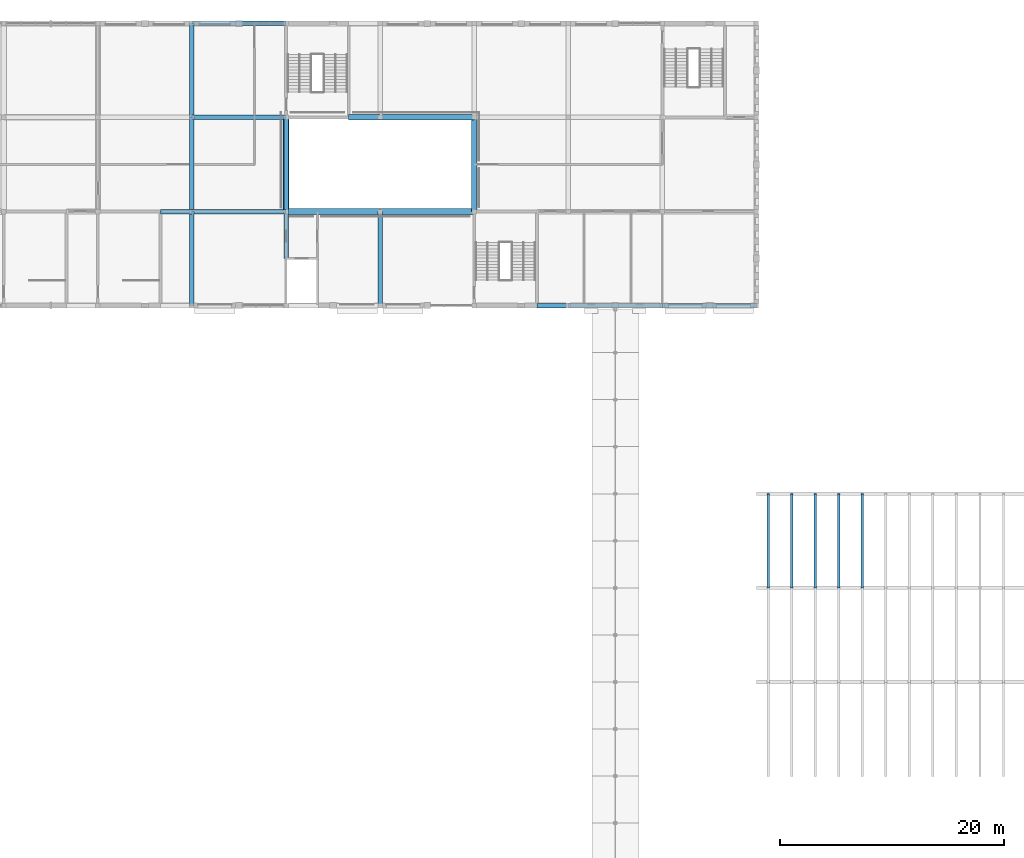
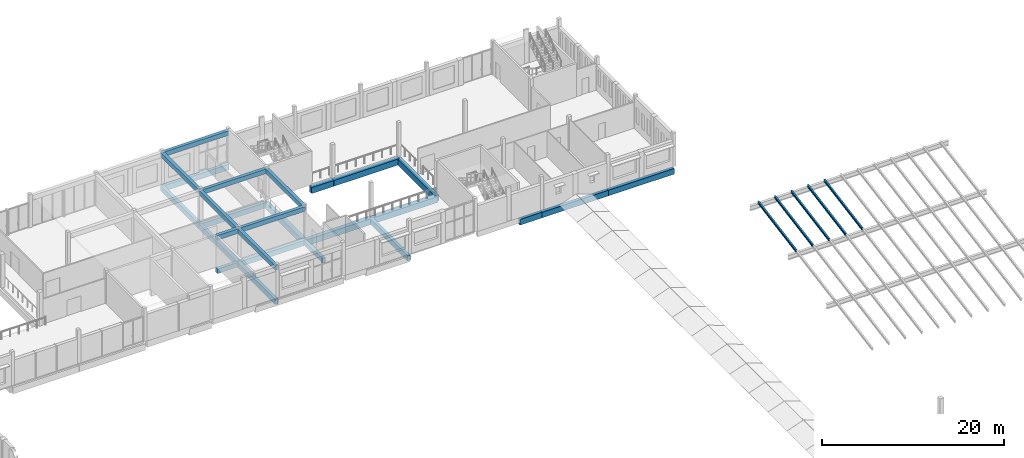
# One storey, part 15 of 38: 26 beams, 5 members.
"""IFC4 building model written with IfcOpenShell, lengths in metres."""

from ifc_helpers import new_model, si_unit, direction, frame, origin, origin_2d, place, context, subcontext, project, spatial, rectangle, i_section, extrude, material, material_profile, profile_set, type_object, element, save


model = new_model("IFC4")

# Units and contexts
model_context = context("Model", 3, precision=1e-05, world=origin(), true_north=direction((0.0, 1.0)))
body_context = subcontext(model_context, "Body", "Model", "MODEL_VIEW")
ifc_project = project(units=[si_unit("LENGTHUNIT", "METRE"), si_unit("AREAUNIT", "SQUARE_METRE"), si_unit("VOLUMEUNIT", "CUBIC_METRE"), si_unit("PLANEANGLEUNIT", "RADIAN"), si_unit("MASSUNIT", "GRAM", prefix="KILO")], contexts=[model_context])

# Site, building, storey
site_placement = place(None, origin())
site = spatial("IfcSite", under=ifc_project, at=site_placement, CompositionType="ELEMENT")
building_placement = place(site_placement, origin())
building = spatial("IfcBuilding", under=site, at=building_placement, Name="Fescue Hill Polytechnic", CompositionType="ELEMENT")
storey_placement = place(building_placement, frame((0.0, 0.0, 18.0)))
storey = spatial("IfcBuildingStorey", under=building, at=storey_placement, Name="L04", CompositionType="ELEMENT", Elevation=18.0)

# Beams
ifc_material_1 = material(Name="Concrete 35 MPa", Category="concrete")
ifc_material_profile_1 = material_profile(ifc_material_1, rectangle(XDim=0.39990234375, YDim=0.60009765625, at=origin_2d()), Name="RC 400x600")
ifc_profile_set_1 = profile_set([ifc_material_profile_1], Name="Concrete 35 MPa")
beam_type_1 = type_object("IfcBeamType", Name="Beam RC 400x600", PredefinedType="BEAM", material=ifc_profile_set_1)
beam_1_placement = place(storey_placement, frame((64.39990234375, 117.60009765625, -0.60009765625), z_axis=(1.0, 0.0, 0.0), x_axis=(0.0, 1.0, 0.0)))
element("IfcBeam", 1, at=beam_1_placement, inside=storey, type_object=beam_type_1, Name="BM-L04-0084", PredefinedType="BEAM", context=body_context, shape_type="SweptSolid", body=[
    extrude(rectangle(XDim=0.39990234375, YDim=0.60009765625, at=origin_2d()), origin(), (0.0, 0.0, 1.0), 2.7900390625),
])
beam_2_placement = place(storey_placement, frame((75.60009765625, 113.39990234375, -0.60009765625), z_axis=(0.0, 1.0, 0.0), x_axis=(-1.0, 0.0, 0.0)))
element("IfcBeam", 2, at=beam_2_placement, inside=storey, type_object=beam_type_1, Name="BM-L04-0092", PredefinedType="BEAM", context=body_context, shape_type="SweptSolid", body=[
    extrude(rectangle(XDim=0.39990234375, YDim=0.60009765625, at=origin_2d()), origin(), (0.0, 0.0, 1.0), 4.2001953125),
])
beam_3_placement = place(storey_placement, frame((64.39990234375, 117.60009765625, 3.89990234375), z_axis=(1.0, 0.0, 0.0), x_axis=(0.0, 1.0, 0.0)))
element("IfcBeam", 3, at=beam_3_placement, inside=storey, type_object=beam_type_1, Name="BR-L04-0010", PredefinedType="BEAM", context=body_context, shape_type="SweptSolid", body=[
    extrude(rectangle(XDim=0.39990234375, YDim=0.60009765625, at=origin_2d()), origin(), (0.0, 0.0, 1.0), 2.7900390625),
])
beam_4_placement = place(storey_placement, frame((67.199951171875, 109.199951171875, 3.89990234375), z_axis=(0.0, 1.0, 0.0), x_axis=(-1.0, 0.0, 0.0)))
element("IfcBeam", 4, at=beam_4_placement, inside=storey, type_object=beam_type_1, Name="BR-L04-0011", PredefinedType="BEAM", context=body_context, shape_type="SweptSolid", body=[
    extrude(rectangle(XDim=0.39990234375, YDim=0.60009765625, at=origin_2d()), origin(), (0.0, 0.0, 1.0), 8.400146484375),
])
for number, where, z_axis, x_axis, name in (
    (5, (67.199951171875, 117.60009765625, 3.89990234375), (0.0, 1.0, 0.0), (-1.0, 0.0, 0.0), "BR-L04-0012"),
    (6, (67.199951171875, 126.0, 3.89990234375), (0.0, 1.0, 0.0), (-1.0, 0.0, 0.0), "BR-L04-0013"),
):
    element("IfcBeam", number, at=place(storey_placement, frame(where, z_axis=z_axis, x_axis=x_axis)), inside=storey, type_object=beam_type_1, Name=name, PredefinedType="BEAM", context=body_context, shape_type="SweptSolid", body=[
        extrude(rectangle(XDim=0.39990234375, YDim=0.60009765625, at=origin_2d()), origin(), (0.0, 0.0, 1.0), 8.39990234375),
    ])
for number, where, z_axis, x_axis, name in (
    (7, (67.2099609375, 117.60009765625, 3.89990234375), (1.0, 0.0, 0.0), (0.0, 1.0, 0.0), "BR-L04-0015"),
    (8, (67.2099609375, 126.0, 3.89990234375), (1.0, 0.0, 0.0), (0.0, 1.0, 0.0), "BR-L04-0016"),
    (9, (67.2099609375, 134.39990234375, 3.89990234375), (1.0, 0.0, 0.0), (0.0, 1.0, 0.0), "BR-L04-0017"),
):
    element("IfcBeam", number, at=place(storey_placement, frame(where, z_axis=z_axis, x_axis=x_axis)), inside=storey, type_object=beam_type_1, Name=name, PredefinedType="BEAM", context=body_context, shape_type="SweptSolid", body=[
        extrude(rectangle(XDim=0.39990234375, YDim=0.60009765625, at=origin_2d()), origin(), (0.0, 0.0, 1.0), 8.380126953125),
    ])
beam_5_placement = place(storey_placement, frame((75.60009765625, 117.60009765625, 3.89990234375), z_axis=(0.0, 1.0, 0.0), x_axis=(-1.0, 0.0, 0.0)))
element("IfcBeam", 10, at=beam_5_placement, inside=storey, type_object=beam_type_1, Name="BR-L04-0018", PredefinedType="BEAM", context=body_context, shape_type="SweptSolid", body=[
    extrude(rectangle(XDim=0.39990234375, YDim=0.60009765625, at=origin_2d()), origin(), (0.0, 0.0, 1.0), 8.39990234375),
])
ifc_material_profile_2 = material_profile(ifc_material_1, rectangle(XDim=0.39990234375, YDim=0.699951171875, at=origin_2d()), Name="RC 400x700")
ifc_profile_set_2 = profile_set([ifc_material_profile_2], Name="Concrete 35 MPa")
beam_type_2 = type_object("IfcBeamType", Name="Beam RC 400x700", PredefinedType="BEAM", material=ifc_profile_set_2)
beam_6_placement = place(storey_placement, frame((67.199951171875, 109.199951171875, -0.64990234375), z_axis=(0.0, 1.0, 0.0), x_axis=(-1.0, 0.0, 0.0)))
element("IfcBeam", 11, at=beam_6_placement, inside=storey, type_object=beam_type_2, Name="BM-L04-0085", PredefinedType="BEAM", context=body_context, shape_type="SweptSolid", body=[
    extrude(rectangle(XDim=0.39990234375, YDim=0.699951171875, at=origin_2d()), origin(), (0.0, 0.0, 1.0), 8.400146484375),
])
for number, where, z_axis, x_axis, name in (
    (12, (67.199951171875, 117.60009765625, -0.64990234375), (0.0, 1.0, 0.0), (-1.0, 0.0, 0.0), "BM-L04-0086"),
    (13, (67.199951171875, 126.0, -0.64990234375), (0.0, 1.0, 0.0), (-1.0, 0.0, 0.0), "BM-L04-0087"),
):
    element("IfcBeam", number, at=place(storey_placement, frame(where, z_axis=z_axis, x_axis=x_axis)), inside=storey, type_object=beam_type_2, Name=name, PredefinedType="BEAM", context=body_context, shape_type="SweptSolid", body=[
        extrude(rectangle(XDim=0.39990234375, YDim=0.699951171875, at=origin_2d()), origin(), (0.0, 0.0, 1.0), 8.39990234375),
    ])
for number, where, z_axis, x_axis, name in (
    (14, (67.2099609375, 117.60009765625, -0.64990234375), (1.0, 0.0, 0.0), (0.0, 1.0, 0.0), "BM-L04-0089"),
    (15, (67.2099609375, 126.0, -0.64990234375), (1.0, 0.0, 0.0), (0.0, 1.0, 0.0), "BM-L04-0090"),
):
    element("IfcBeam", number, at=place(storey_placement, frame(where, z_axis=z_axis, x_axis=x_axis)), inside=storey, type_object=beam_type_2, Name=name, PredefinedType="BEAM", context=body_context, shape_type="SweptSolid", body=[
        extrude(rectangle(XDim=0.39990234375, YDim=0.699951171875, at=origin_2d()), origin(), (0.0, 0.0, 1.0), 8.380126953125),
    ])
beam_7_placement = place(storey_placement, frame((84.0, 109.199951171875, -0.64990234375), z_axis=(0.0, 1.0, 0.0), x_axis=(-1.0, 0.0, 0.0)))
element("IfcBeam", 16, at=beam_7_placement, inside=storey, type_object=beam_type_2, Name="BM-L04-0098", PredefinedType="BEAM", context=body_context, shape_type="SweptSolid", body=[
    extrude(rectangle(XDim=0.39990234375, YDim=0.699951171875, at=origin_2d()), origin(), (0.0, 0.0, 1.0), 8.400146484375),
])
ifc_material_profile_3 = material_profile(ifc_material_1, rectangle(XDim=0.39990234375, YDim=0.75, at=origin_2d()), Name="RC 400x750")
ifc_profile_set_3 = profile_set([ifc_material_profile_3], Name="Concrete 35 MPa")
beam_type_3 = type_object("IfcBeamType", Name="Beam RC 400x750", PredefinedType="BEAM", material=ifc_profile_set_3)
beam_8_placement = place(storey_placement, frame((67.2099609375, 134.39990234375, -0.675048828125), z_axis=(1.0, 0.0, 0.0), x_axis=(0.0, 1.0, 0.0)))
element("IfcBeam", 17, at=beam_8_placement, inside=storey, type_object=beam_type_3, Name="BM-L04-0091", PredefinedType="BEAM", context=body_context, shape_type="SweptSolid", body=[
    extrude(rectangle(XDim=0.39990234375, YDim=0.75, at=origin_2d()), origin(), (0.0, 0.0, 1.0), 8.39013671875),
])
beam_9_placement = place(storey_placement, frame((98.0, 109.199951171875, -0.675048828125), z_axis=(1.0, 0.0, 0.0), x_axis=(0.0, 1.0, 0.0)))
element("IfcBeam", 18, at=beam_9_placement, inside=storey, type_object=beam_type_3, Name="BM-L04-0107", PredefinedType="BEAM", context=body_context, shape_type="SweptSolid", body=[
    extrude(rectangle(XDim=0.39990234375, YDim=0.75, at=origin_2d()), origin(), (0.0, 0.0, 1.0), 2.800048828125),
])
beam_10_placement = place(storey_placement, frame((100.800048828125, 109.199951171875, -0.675048828125), z_axis=(1.0, 0.0, 0.0), x_axis=(0.0, 1.0, 0.0)))
element("IfcBeam", 19, at=beam_10_placement, inside=storey, type_object=beam_type_3, Name="BM-L04-0109", PredefinedType="BEAM", context=body_context, shape_type="SweptSolid", body=[
    extrude(rectangle(XDim=0.39990234375, YDim=0.75, at=origin_2d()), origin(), (0.0, 0.0, 1.0), 8.39990234375),
])
beam_11_placement = place(storey_placement, frame((109.199951171875, 109.199951171875, -0.675048828125), z_axis=(1.0, 0.0, 0.0), x_axis=(0.0, 1.0, 0.0)))
element("IfcBeam", 20, at=beam_11_placement, inside=storey, type_object=beam_type_3, Name="BM-L04-0115", PredefinedType="BEAM", context=body_context, shape_type="SweptSolid", body=[
    extrude(rectangle(XDim=0.39990234375, YDim=0.75, at=origin_2d()), origin(), (0.0, 0.0, 1.0), 8.400146484375),
])
ifc_material_profile_4 = material_profile(ifc_material_1, rectangle(XDim=0.5, YDim=0.800048828125, at=origin_2d()), Name="RC 500x800")
ifc_profile_set_4 = profile_set([ifc_material_profile_4], Name="Concrete 35 MPa")
beam_type_4 = type_object("IfcBeamType", Name="Beam RC 500x800", PredefinedType="BEAM", material=ifc_profile_set_4)
beam_12_placement = place(storey_placement, frame((75.60009765625, 117.60009765625, -0.699951171875), z_axis=(0.0, 1.0, 0.0), x_axis=(-1.0, 0.0, 0.0)))
element("IfcBeam", 21, at=beam_12_placement, inside=storey, type_object=beam_type_4, Name="BM-L04-0093", PredefinedType="BEAM", context=body_context, shape_type="SweptSolid", body=[
    extrude(rectangle(XDim=0.5, YDim=0.800048828125, at=origin_2d()), origin(), (0.0, 0.0, 1.0), 8.39990234375),
])
beam_13_placement = place(storey_placement, frame((75.610107421875, 117.60009765625, -0.699951171875), z_axis=(1.0, 0.0, 0.0), x_axis=(0.0, 1.0, 0.0)))
element("IfcBeam", 22, at=beam_13_placement, inside=storey, type_object=beam_type_4, Name="BM-L04-0094", PredefinedType="BEAM", context=body_context, shape_type="SweptSolid", body=[
    extrude(rectangle(XDim=0.5, YDim=0.800048828125, at=origin_2d()), origin(), (0.0, 0.0, 1.0), 8.3798828125),
])
beam_14_placement = place(storey_placement, frame((81.199951171875, 126.0, -0.699951171875), z_axis=(1.0, 0.0, 0.0), x_axis=(0.0, 1.0, 0.0)))
element("IfcBeam", 23, at=beam_14_placement, inside=storey, type_object=beam_type_4, Name="BM-L04-0096", PredefinedType="BEAM", context=body_context, shape_type="SweptSolid", body=[
    extrude(rectangle(XDim=0.5, YDim=0.800048828125, at=origin_2d()), origin(), (0.0, 0.0, 1.0), 2.7900390625),
])
beam_15_placement = place(storey_placement, frame((84.010009765625, 117.60009765625, -0.699951171875), z_axis=(1.0, 0.0, 0.0), x_axis=(0.0, 1.0, 0.0)))
element("IfcBeam", 24, at=beam_15_placement, inside=storey, type_object=beam_type_4, Name="BM-L04-0100", PredefinedType="BEAM", context=body_context, shape_type="SweptSolid", body=[
    extrude(rectangle(XDim=0.5, YDim=0.800048828125, at=origin_2d()), origin(), (0.0, 0.0, 1.0), 8.389892578125),
])
beam_16_placement = place(storey_placement, frame((84.010009765625, 126.0, -0.699951171875), z_axis=(1.0, 0.0, 0.0), x_axis=(0.0, 1.0, 0.0)))
element("IfcBeam", 25, at=beam_16_placement, inside=storey, type_object=beam_type_4, Name="BM-L04-0101", PredefinedType="BEAM", context=body_context, shape_type="SweptSolid", body=[
    extrude(rectangle(XDim=0.5, YDim=0.800048828125, at=origin_2d()), origin(), (0.0, 0.0, 1.0), 8.3798828125),
])
beam_17_placement = place(storey_placement, frame((92.39990234375, 117.60009765625, -0.699951171875), z_axis=(0.0, 1.0, 0.0), x_axis=(-1.0, 0.0, 0.0)))
element("IfcBeam", 26, at=beam_17_placement, inside=storey, type_object=beam_type_4, Name="BM-L04-0103", PredefinedType="BEAM", context=body_context, shape_type="SweptSolid", body=[
    extrude(rectangle(XDim=0.5, YDim=0.800048828125, at=origin_2d()), origin(), (0.0, 0.0, 1.0), 8.39990234375),
])

# Members
ifc_material_2 = material(Name="Steel 350W (350 MPa)", Category="steel")
ifc_material_profile_5 = material_profile(ifc_material_2, i_section(OverallWidth=0.202880859375, OverallDepth=0.302978515625, WebThickness=0.007568359375, FlangeThickness=0.01318359375, FilletRadius=0.02001953125, at=origin_2d()), Name="W310x60")
ifc_profile_set_5 = profile_set([ifc_material_profile_5], Name="Steel 350W (350 MPa)")
member_type = type_object("IfcMemberType", Name="Lecture roof purlin W310x60", PredefinedType="PURLIN", material=ifc_profile_set_5)
for number, where, z_axis, x_axis, name in (
    (27, (118.64990234375, 84.0, 3.414794921875), (0.0, 0.984427221834, 0.175792619048), (-1.0, 0.0, 0.0), "Lecture roof purlin 1 bay 4"),
    (28, (120.75, 84.0, 3.414794921875), (0.0, 0.984427221834, 0.175792619048), (-1.0, 0.0, 0.0), "Lecture roof purlin 2 bay 4"),
    (29, (122.85009765625, 84.0, 3.414794921875), (0.0, 0.984427221834, 0.175792619048), (-1.0, 0.0, 0.0), "Lecture roof purlin 3 bay 4"),
    (30, (124.949951171875, 84.0, 3.414794921875), (0.0, 0.984427221834, 0.175792619048), (-1.0, 0.0, 0.0), "Lecture roof purlin 4 bay 4"),
    (31, (127.050048828125, 84.0, 3.414794921875), (0.0, 0.984427221834, 0.175792619048), (-1.0, 0.0, 0.0), "Lecture roof purlin 5 bay 4"),
):
    element("IfcMember", number, at=place(storey_placement, frame(where, z_axis=z_axis, x_axis=x_axis)), inside=storey, type_object=member_type, Name=name, PredefinedType="PURLIN", context=body_context, shape_type="SweptSolid", body=[
        extrude(i_section(OverallWidth=0.202880859375, OverallDepth=0.302978515625, WebThickness=0.007568359375, FlangeThickness=0.01318359375, FilletRadius=0.02001953125, at=origin_2d()), origin(), (0.0, 0.0, 1.0), 8.53271484375),
    ])

save(model, "model.ifc")
